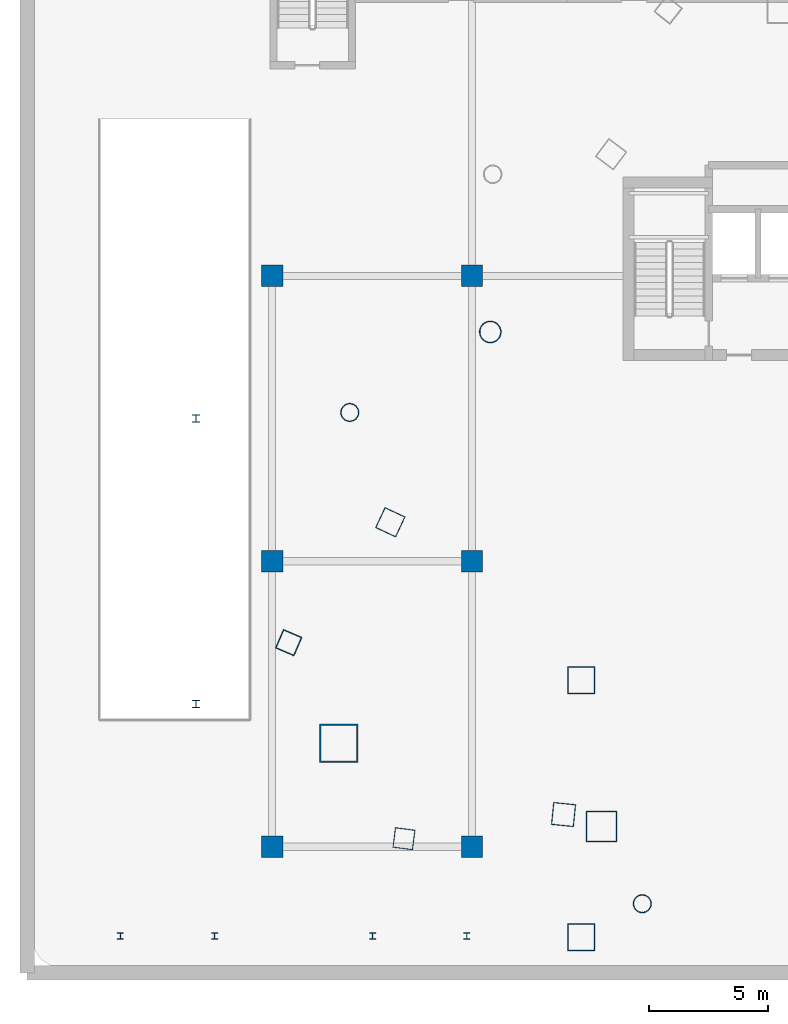
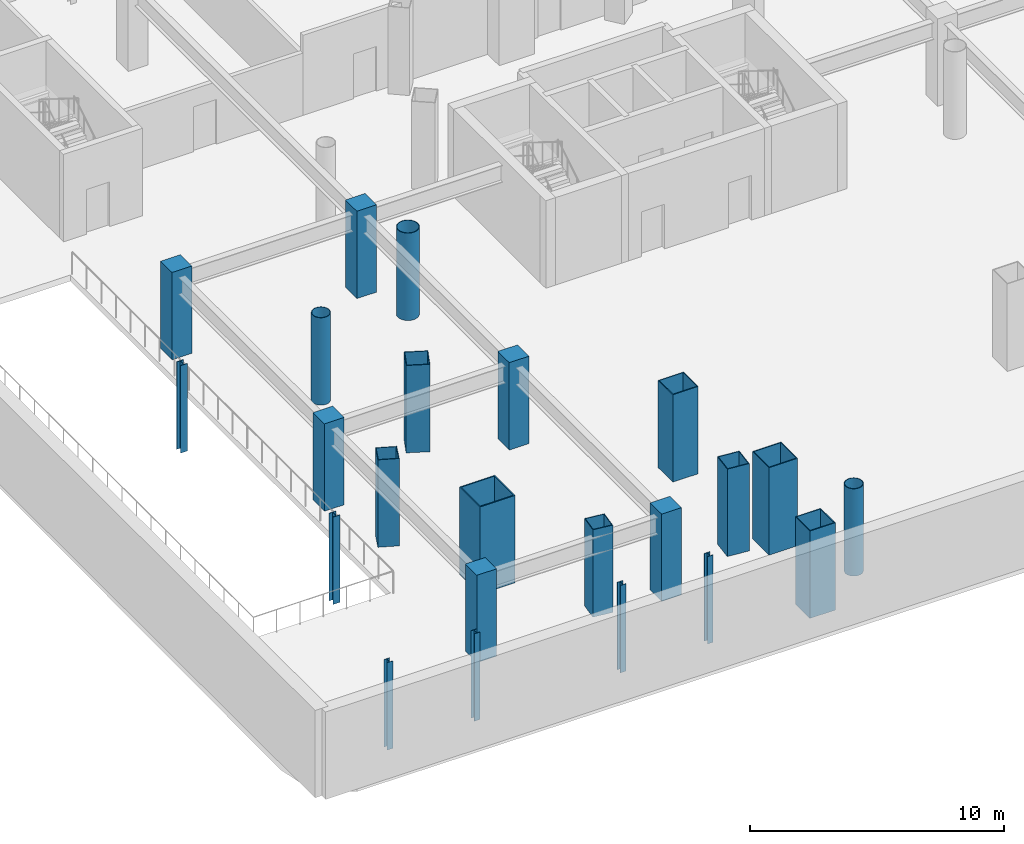
# One storey, part 1 of 10: 23 columns.
"""IFC4 building model written with IfcOpenShell, lengths in metres."""

from ifc_helpers import new_model, si_unit, direction, frame, origin, origin_2d, place, context, subcontext, project, spatial, rectangle, hollow_rectangle, hollow_circle, i_section, extrude, material, material_profile, profile_set, type_object, element, save


model = new_model("IFC4")

# Units and contexts
model_context = context("Model", 3, precision=1e-05, world=origin(), true_north=direction((0.0, 1.0)))
body_context = subcontext(model_context, "Body", "Model", "MODEL_VIEW")
ifc_project = project(units=[si_unit("LENGTHUNIT", "METRE"), si_unit("AREAUNIT", "SQUARE_METRE"), si_unit("VOLUMEUNIT", "CUBIC_METRE"), si_unit("PLANEANGLEUNIT", "RADIAN"), si_unit("MASSUNIT", "GRAM", prefix="KILO")], contexts=[model_context])

# Site, building, storey
site_placement = place(None, origin())
site = spatial("IfcSite", under=ifc_project, at=site_placement, CompositionType="ELEMENT")
building_placement = place(site_placement, origin())
building = spatial("IfcBuilding", under=site, at=building_placement, Name="Orvanel Arch Residences", CompositionType="ELEMENT")
storey_placement = place(building_placement, frame((0.0, 0.0, -4.199951171875)))
storey = spatial("IfcBuildingStorey", under=building, at=storey_placement, Name="B01", CompositionType="ELEMENT", Elevation=-4.199951171875)

# Columns
ifc_material_1 = material(Name="Structural steel AS/NZS 1163 C450L0 (Grade 450)", Category="steel")
ifc_material_profile_1 = material_profile(ifc_material_1, hollow_circle(Radius=0.381103515625, WallThickness=0.02197265625, at=origin_2d()), Name="CHS762x22")
ifc_profile_set_1 = profile_set([ifc_material_profile_1], Name="Structural steel AS/NZS 1163 C450L0 (Grade 450)")
column_type_1 = type_object("IfcColumnType", Name="CC-762", PredefinedType="COLUMN", material=ifc_profile_set_1)
for number, where, z_axis, x_axis, name in (
    (1, (14.662109375, 24.256103515625, 0.0), (0.0, 0.0, 1.0), (1.0, 0.0, 0.0), "B01 Low-Rise Buttress Tube Column 02"),
    (2, (26.9580078125, 3.60498046875, 0.0), (0.0, 0.0, 1.0), (1.0, 0.0, 0.0), "B01 Low-Rise Buttress Tube Column 03"),
):
    element("IfcColumn", number, at=place(storey_placement, frame(where, z_axis=z_axis, x_axis=x_axis)), inside=storey, type_object=column_type_1, Name=name, PredefinedType="COLUMN", context=body_context, shape_type="SweptSolid", body=[
        extrude(hollow_circle(Radius=0.381103515625, WallThickness=0.02197265625, at=origin_2d()), origin(), (0.0, 0.0, 1.0), 4.199951171875),
    ])
ifc_material_profile_2 = material_profile(ifc_material_1, hollow_circle(Radius=0.45703125, WallThickness=0.02490234375, at=origin_2d()), Name="CHS914x25")
ifc_profile_set_2 = profile_set([ifc_material_profile_2], Name="Structural steel AS/NZS 1163 C450L0 (Grade 450)")
column_type_2 = type_object("IfcColumnType", Name="CC-914", PredefinedType="COLUMN", material=ifc_profile_set_2)
column_1_placement = place(storey_placement, frame((20.569091796875, 27.64111328125, 0.0), z_axis=(0.0, 0.0, 1.0), x_axis=(1.0, 0.0, 0.0)))
element("IfcColumn", 3, at=column_1_placement, inside=storey, type_object=column_type_2, Name="B01 High-Rise Tube Column 02", PredefinedType="COLUMN", context=body_context, shape_type="SweptSolid", body=[
    extrude(hollow_circle(Radius=0.45703125, WallThickness=0.02490234375, at=origin_2d()), origin(), (0.0, 0.0, 1.0), 4.199951171875),
])
ifc_material_2 = material(Name="Structural steel AS/NZS 3678 Grade 450", Category="steel")
ifc_material_profile_3 = material_profile(ifc_material_2, hollow_rectangle(XDim=1.14990234375, YDim=1.14990234375, WallThickness=0.035888671875, at=origin_2d()), Name="BOX1150x1150x36")
ifc_profile_set_3 = profile_set([ifc_material_profile_3], Name="Structural steel AS/NZS 3678 Grade 450")
column_type_3 = type_object("IfcColumnType", Name="MC-1150", PredefinedType="COLUMN", material=ifc_profile_set_3)
for number, where, z_axis, x_axis, name in (
    (4, (24.39990234375, 2.199951171875, 0.0), (0.0, 0.0, 1.0), (1.0, 0.0, 0.0), "B01 Arch Portal Pier SOUTH W"),
    (5, (24.39990234375, 13.0, 0.0), (0.0, 0.0, 1.0), (1.0, 0.0, 0.0), "B01 Arch Portal Pier MID W"),
):
    element("IfcColumn", number, at=place(storey_placement, frame(where, z_axis=z_axis, x_axis=x_axis)), inside=storey, type_object=column_type_3, Name=name, PredefinedType="COLUMN", context=body_context, shape_type="SweptSolid", body=[
        extrude(hollow_rectangle(XDim=1.14990234375, YDim=1.14990234375, WallThickness=0.035888671875, at=origin_2d()), origin(), (0.0, 0.0, 1.0), 4.199951171875),
    ])
ifc_material_profile_4 = material_profile(ifc_material_2, hollow_rectangle(XDim=1.300048828125, YDim=1.300048828125, WallThickness=0.0400390625, at=origin_2d()), Name="BOX1300x1300x40")
ifc_profile_set_4 = profile_set([ifc_material_profile_4], Name="Structural steel AS/NZS 3678 Grade 450")
column_type_4 = type_object("IfcColumnType", Name="MC-1300", PredefinedType="COLUMN", material=ifc_profile_set_4)
column_2_placement = place(storey_placement, frame((25.25, 6.843994140625, 0.0), z_axis=(0.0, 0.0, 1.0), x_axis=(1.0, 0.0, 0.0)))
element("IfcColumn", 6, at=column_2_placement, inside=storey, type_object=column_type_4, Name="B01 Arch Transfer Pier W", PredefinedType="COLUMN", context=body_context, shape_type="SweptSolid", body=[
    extrude(hollow_rectangle(XDim=1.300048828125, YDim=1.300048828125, WallThickness=0.0400390625, at=origin_2d()), origin(), (0.0, 0.0, 1.0), 4.199951171875),
])
ifc_material_profile_5 = material_profile(ifc_material_2, hollow_rectangle(XDim=1.60009765625, YDim=1.60009765625, WallThickness=0.050048828125, at=origin_2d()), Name="BOX1600x1600x50")
ifc_profile_set_5 = profile_set([ifc_material_profile_5], Name="Structural steel AS/NZS 3678 Grade 450")
column_type_5 = type_object("IfcColumnType", Name="MC-1600", PredefinedType="COLUMN", material=ifc_profile_set_5)
column_3_placement = place(storey_placement, frame((14.198974609375, 10.35107421875, 0.0), z_axis=(0.0, 0.0, 1.0), x_axis=(1.0, 0.0, 0.0)))
element("IfcColumn", 7, at=column_3_placement, inside=storey, type_object=column_type_5, Name="B01 Corner Composite Mega-Column 2", PredefinedType="COLUMN", context=body_context, shape_type="SweptSolid", body=[
    extrude(hollow_rectangle(XDim=1.60009765625, YDim=1.60009765625, WallThickness=0.050048828125, at=origin_2d()), origin(), (0.0, 0.0, 1.0), 4.199951171875),
])
ifc_material_3 = material(Name="Concrete S65 (65 MPa)", Category="concrete")
ifc_material_profile_6 = material_profile(ifc_material_3, rectangle(XDim=0.89990234375, YDim=0.89990234375, at=origin_2d()), Name="RC900x900")
ifc_profile_set_6 = profile_set([ifc_material_profile_6], Name="Concrete S65 (65 MPa)")
column_type_6 = type_object("IfcColumnType", Name="PC-900", PredefinedType="COLUMN", material=ifc_profile_set_6)
for number, where, z_axis, x_axis, name in (
    (8, (11.39990234375, 6.0, 0.0), (0.0, 0.0, 1.0), (1.0, 0.0, 0.0), "B01 Podium Grid Column 01"),
    (9, (11.39990234375, 18.0, 0.0), (0.0, 0.0, 1.0), (1.0, 0.0, 0.0), "B01 Podium Grid Column 02"),
    (10, (11.39990234375, 30.0, 0.0), (0.0, 0.0, 1.0), (1.0, 0.0, 0.0), "B01 Podium Grid Column 03"),
    (11, (19.800048828125, 6.0, 0.0), (0.0, 0.0, 1.0), (1.0, 0.0, 0.0), "B01 Podium Grid Column 04"),
    (12, (19.800048828125, 18.0, 0.0), (0.0, 0.0, 1.0), (1.0, 0.0, 0.0), "B01 Podium Grid Column 05"),
    (13, (19.800048828125, 30.0, 0.0), (0.0, 0.0, 1.0), (1.0, 0.0, 0.0), "B01 Podium Grid Column 06"),
):
    element("IfcColumn", number, at=place(storey_placement, frame(where, z_axis=z_axis, x_axis=x_axis)), inside=storey, type_object=column_type_6, Name=name, PredefinedType="COLUMN", context=body_context, shape_type="SweptSolid", body=[
        extrude(rectangle(XDim=0.89990234375, YDim=0.89990234375, at=origin_2d()), origin(), (0.0, 0.0, 1.0), 4.199951171875),
    ])
ifc_material_4 = material(Name="Structural steel AS/NZS 3679.1 Grade 300 (300 MPa)", Category="steel")
ifc_material_profile_7 = material_profile(ifc_material_4, i_section(OverallWidth=0.256103515625, OverallDepth=0.260009765625, WebThickness=0.010498046875, FlangeThickness=0.017333984375, at=origin_2d()), Name="250UC89.5")
ifc_profile_set_7 = profile_set([ifc_material_profile_7], Name="Structural steel AS/NZS 3679.1 Grade 300 (300 MPa)")
column_type_7 = type_object("IfcColumnType", Name="SC-250UC", PredefinedType="COLUMN", material=ifc_profile_set_7)
for number, where, z_axis, x_axis, name in (
    (14, (5.02001953125, 2.25, 0.0), (0.0, 0.0, 1.0), (1.0, 0.0, 0.0), "B01 Canopy Rear Support Column 01.1"),
    (15, (8.97998046875, 2.25, 0.0), (0.0, 0.0, 1.0), (1.0, 0.0, 0.0), "B01 Canopy Rear Support Column 01.2"),
    (16, (15.6201171875, 2.25, 0.0), (0.0, 0.0, 1.0), (1.0, 0.0, 0.0), "B01 Canopy Rear Support Column 02.1"),
    (17, (19.580078125, 2.25, 0.0), (0.0, 0.0, 1.0), (1.0, 0.0, 0.0), "B01 Canopy Rear Support Column 02.2"),
):
    element("IfcColumn", number, at=place(storey_placement, frame(where, z_axis=z_axis, x_axis=x_axis)), inside=storey, type_object=column_type_7, Name=name, PredefinedType="COLUMN", context=body_context, shape_type="SweptSolid", body=[
        extrude(i_section(OverallWidth=0.256103515625, OverallDepth=0.260009765625, WebThickness=0.010498046875, FlangeThickness=0.017333984375, at=origin_2d()), origin(), (0.0, 0.0, 1.0), 4.199951171875),
    ])
ifc_material_profile_8 = material_profile(ifc_material_4, i_section(OverallWidth=0.31103515625, OverallDepth=0.326904296875, WebThickness=0.015625, FlangeThickness=0.02490234375, at=origin_2d()), Name="310UC158")
ifc_profile_set_8 = profile_set([ifc_material_profile_8], Name="Structural steel AS/NZS 3679.1 Grade 300 (300 MPa)")
column_type_8 = type_object("IfcColumnType", Name="SC-310UC158", PredefinedType="COLUMN", material=ifc_profile_set_8)
for number, where, z_axis, x_axis, name in (
    (18, (8.199951171875, 12.0, 0.0), (0.0, 0.0, 1.0), (1.0, 0.0, 0.0), "B01 Auxiliary Podium Column 01"),
    (19, (8.199951171875, 24.0, 0.0), (0.0, 0.0, 1.0), (1.0, 0.0, 0.0), "B01 Auxiliary Podium Column 02"),
):
    element("IfcColumn", number, at=place(storey_placement, frame(where, z_axis=z_axis, x_axis=x_axis)), inside=storey, type_object=column_type_8, Name=name, PredefinedType="COLUMN", context=body_context, shape_type="SweptSolid", body=[
        extrude(i_section(OverallWidth=0.31103515625, OverallDepth=0.326904296875, WebThickness=0.015625, FlangeThickness=0.02490234375, at=origin_2d()), origin(), (0.0, 0.0, 1.0), 4.199951171875),
    ])
ifc_material_5 = material(Name="Structural steel AS/NZS 3678 Grade 350", Category="steel")
ifc_material_profile_9 = material_profile(ifc_material_5, hollow_rectangle(XDim=0.85009765625, YDim=0.85009765625, WallThickness=0.028076171875, at=origin_2d()), Name="BOX850x850x28")
ifc_profile_set_9 = profile_set([ifc_material_profile_9], Name="Structural steel AS/NZS 3678 Grade 350")
column_type_9 = type_object("IfcColumnType", Name="TC-850", PredefinedType="COLUMN", material=ifc_profile_set_9)
for number, where, z_axis, x_axis, name in (
    (20, (12.094970703125, 14.580078125, 0.0), (0.0, 0.0, 1.0), (0.397147890635, 0.917754625684, 0.0), "B01 Mid-Rise Buttress Tube Column 02"),
    (21, (16.94091796875, 6.339111328125, 0.0), (0.0, 0.0, 1.0), (-0.99189444259, 0.127064608601, 0.0), "B01 Mid-Rise Buttress Tube Column 03"),
):
    element("IfcColumn", number, at=place(storey_placement, frame(where, z_axis=z_axis, x_axis=x_axis)), inside=storey, type_object=column_type_9, Name=name, PredefinedType="COLUMN", context=body_context, shape_type="SweptSolid", body=[
        extrude(hollow_rectangle(XDim=0.85009765625, YDim=0.85009765625, WallThickness=0.028076171875, at=origin_2d()), origin(), (0.0, 0.0, 1.0), 4.199951171875),
    ])
ifc_material_profile_10 = material_profile(ifc_material_5, hollow_rectangle(XDim=0.949951171875, YDim=0.949951171875, WallThickness=0.031982421875, at=origin_2d()), Name="BOX950x950x32")
ifc_profile_set_10 = profile_set([ifc_material_profile_10], Name="Structural steel AS/NZS 3678 Grade 350")
column_type_10 = type_object("IfcColumnType", Name="TC-950", PredefinedType="COLUMN", material=ifc_profile_set_10)
for number, where, z_axis, x_axis, name in (
    (22, (16.366943359375, 19.64208984375, 0.0), (0.0, 0.0, 1.0), (0.422618261741, 0.906307787037, 0.0), "B01 High-Rise Tube Column 03"),
    (23, (23.64892578125, 7.35498046875, 0.0), (0.0, 0.0, 1.0), (-0.994880708829, 0.101056297183, 0.0), "B01 High-Rise Tube Column 04"),
):
    element("IfcColumn", number, at=place(storey_placement, frame(where, z_axis=z_axis, x_axis=x_axis)), inside=storey, type_object=column_type_10, Name=name, PredefinedType="COLUMN", context=body_context, shape_type="SweptSolid", body=[
        extrude(hollow_rectangle(XDim=0.949951171875, YDim=0.949951171875, WallThickness=0.031982421875, at=origin_2d()), origin(), (0.0, 0.0, 1.0), 4.199951171875),
    ])

save(model, "model.ifc")
